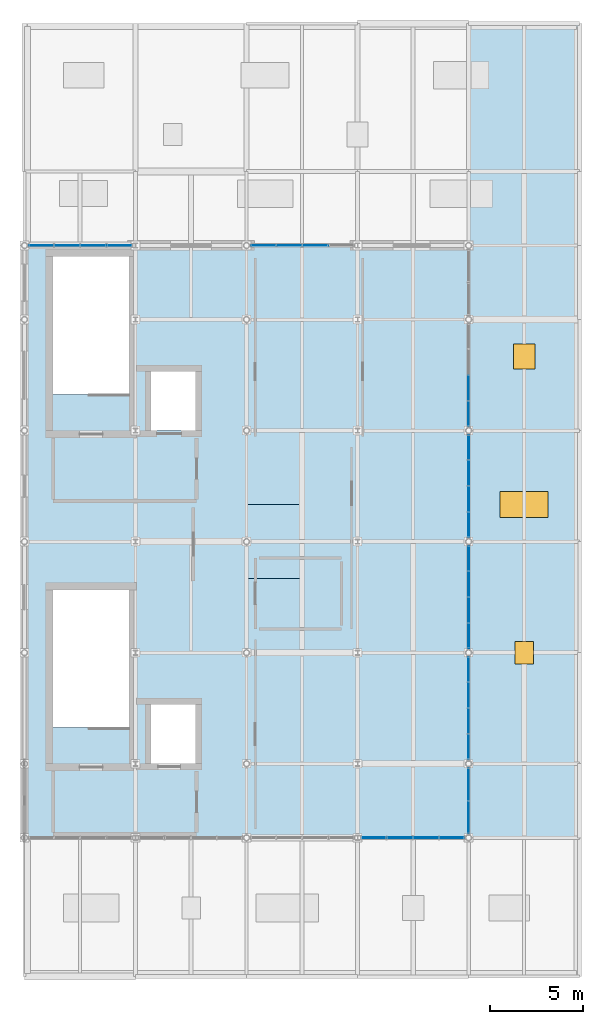
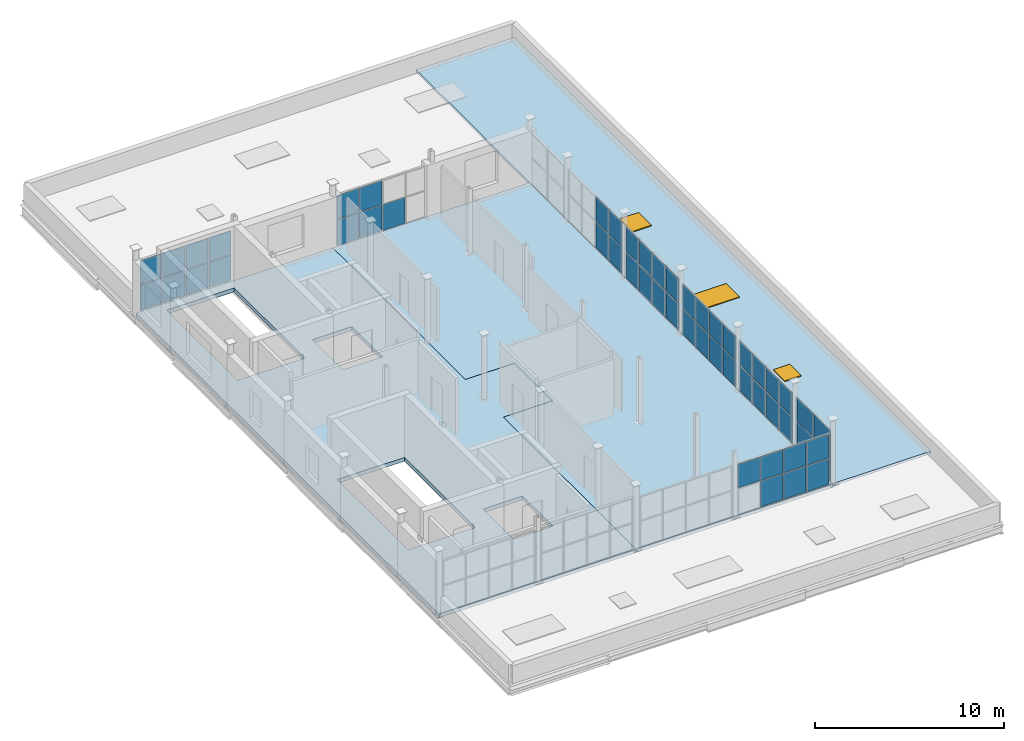
# One storey, part 22 of 27: 52 plates, 3 slabs, 2 doors, 1 window, 3 openings, 8 elements without a shape of their own.
"""IFC4 building model written with IfcOpenShell, lengths in metres."""

from ifc_helpers import new_model, si_unit, direction, frame, origin, origin_2d, place, context, subcontext, project, spatial, polyline, rectangle, outline, extrude, material, layer, layer_set, type_object, element, fill, aggregate, save


model = new_model("IFC4")

# Units and contexts
model_context = context("Model", 3, precision=1e-05, world=origin(), true_north=direction((0.0, 1.0)))
body_context = subcontext(model_context, "Body", "Model", "MODEL_VIEW")
ifc_project = project(units=[si_unit("LENGTHUNIT", "METRE"), si_unit("AREAUNIT", "SQUARE_METRE"), si_unit("VOLUMEUNIT", "CUBIC_METRE"), si_unit("PLANEANGLEUNIT", "RADIAN"), si_unit("MASSUNIT", "GRAM", prefix="KILO")], contexts=[model_context])

# Site, building, storey
site_placement = place(None, origin())
site = spatial("IfcSite", under=ifc_project, at=site_placement, CompositionType="ELEMENT")
building_placement = place(site_placement, origin())
building = spatial("IfcBuilding", under=site, at=building_placement, Name="Verrall Gate Interchange", CompositionType="ELEMENT")
storey_placement = place(building_placement, frame((0.0, 0.0, 28.60009765625)))
storey = spatial("IfcBuildingStorey", under=building, at=storey_placement, Name="L07", CompositionType="ELEMENT", Elevation=28.60009765625)

# Curtain wall, plates
ifc_material_1 = material(Name="Thermally Broken Anodized Aluminium Curtain Wall Framing", Category="aluminium")
curtain_wall_type_1 = type_object("IfcCurtainWallType", Name="CW-51 Unitized Curtain Wall 3612x3340", PredefinedType="NOTDEFINED", material=ifc_material_1)
curtain_wall_1_placement = place(storey_placement, origin())
curtain_wall_1 = element("IfcCurtainWall", 1, at=curtain_wall_1_placement, inside=storey, type_object=curtain_wall_type_1, Name="L07 Unitized Curtain Wall CW-L07-156", PredefinedType="NOTDEFINED")
ifc_material_2 = material(Name="Triple-Glazed Low-E Argon Insulated Curtain Panel (U=1.45)", Category="glass")
ifc_layer_1 = layer(ifc_material_2, 0.030029296875)
ifc_layer_set_1 = layer_set([ifc_layer_1], Name="Triple-Glazed Low-E Argon Insulated Curtain Panel (U=1.45)")
plate_type_1 = type_object("IfcPlateType", Name="CP-01 Curtain Glazing Panel 30", PredefinedType="CURTAIN_PANEL", material=ifc_layer_set_1)
plate_1_placement = place(storey_placement, frame((30.0, 13.11328125, 0.054443359375), z_axis=(0.0, 0.0, 1.0), x_axis=(0.0, 1.0, 0.0)))
plate_1 = element("IfcPlate", 2, at=plate_1_placement, type_object=plate_type_1, Name="CW-L07-156 Glazing Panel 1.1", PredefinedType="CURTAIN_PANEL", context=body_context, shape_type="SweptSolid", body=[
    extrude(rectangle(XDim=1.7294921875, YDim=0.030029296875, at=origin_2d()), origin(), (0.0, 0.0, 1.0), 1.66015625),
])
plate_2_placement = place(storey_placement, frame((30.0, 13.11328125, 1.7587890625), z_axis=(0.0, 0.0, 1.0), x_axis=(0.0, 1.0, 0.0)))
plate_2 = element("IfcPlate", 3, at=plate_2_placement, type_object=plate_type_1, Name="CW-L07-156 Glazing Panel 1.2", PredefinedType="CURTAIN_PANEL", context=body_context, shape_type="SweptSolid", body=[
    extrude(rectangle(XDim=1.7294921875, YDim=0.030029296875, at=origin_2d()), origin(), (0.0, 0.0, 1.0), 1.526611328125),
])
plate_3_placement = place(storey_placement, frame((30.0, 14.88671875, 0.054443359375), z_axis=(0.0, 0.0, 1.0), x_axis=(0.0, 1.0, 0.0)))
plate_3 = element("IfcPlate", 4, at=plate_3_placement, type_object=plate_type_1, Name="CW-L07-156 Glazing Panel 2.1", PredefinedType="CURTAIN_PANEL", context=body_context, shape_type="SweptSolid", body=[
    extrude(rectangle(XDim=1.7294921875, YDim=0.030029296875, at=origin_2d()), origin(), (0.0, 0.0, 1.0), 1.66015625),
])
plate_4_placement = place(storey_placement, frame((30.0, 14.88671875, 1.7587890625), z_axis=(0.0, 0.0, 1.0), x_axis=(0.0, 1.0, 0.0)))
plate_4 = element("IfcPlate", 5, at=plate_4_placement, type_object=plate_type_1, Name="CW-L07-156 Glazing Panel 2.2", PredefinedType="CURTAIN_PANEL", context=body_context, shape_type="SweptSolid", body=[
    extrude(rectangle(XDim=1.7294921875, YDim=0.030029296875, at=origin_2d()), origin(), (0.0, 0.0, 1.0), 1.526611328125),
])
aggregate(curtain_wall_1, [plate_1, plate_2, plate_3, plate_4])

ifc_material_3 = material(Name="Thermally Broken Anodized Aluminium Curtain Wall Framing", Category="aluminium")
curtain_wall_type_2 = type_object("IfcCurtainWallType", Name="CW-43 Unitized Curtain Wall 5612x3310", PredefinedType="NOTDEFINED", material=ifc_material_3)
curtain_wall_2_placement = place(storey_placement, origin())
curtain_wall_2 = element("IfcCurtainWall", 6, at=curtain_wall_2_placement, inside=storey, type_object=curtain_wall_type_2, Name="L07 Unitized Curtain Wall CW-L07-157", PredefinedType="NOTDEFINED")
plate_5_placement = place(storey_placement, frame((30.0, 16.914306640625, 0.06298828125), z_axis=(0.0, 0.0, 1.0), x_axis=(0.0, 1.0, 0.0)))
plate_5 = element("IfcPlate", 7, at=plate_5_placement, type_object=plate_type_1, Name="CW-L07-157 Glazing Panel 1.1", PredefinedType="CURTAIN_PANEL", context=body_context, shape_type="SweptSolid", body=[
    extrude(rectangle(XDim=1.314453125, YDim=0.030029296875, at=origin_2d()), origin(), (0.0, 0.0, 1.0), 1.648193359375),
])
plate_6_placement = place(storey_placement, frame((30.0, 16.914306640625, 1.76220703125), z_axis=(0.0, 0.0, 1.0), x_axis=(0.0, 1.0, 0.0)))
plate_6 = element("IfcPlate", 8, at=plate_6_placement, type_object=plate_type_1, Name="CW-L07-157 Glazing Panel 1.2", PredefinedType="CURTAIN_PANEL", context=body_context, shape_type="SweptSolid", body=[
    extrude(rectangle(XDim=1.314453125, YDim=0.030029296875, at=origin_2d()), origin(), (0.0, 0.0, 1.0), 1.5146484375),
])
plate_7_placement = place(storey_placement, frame((30.0, 18.298583984375, 0.06298828125), z_axis=(0.0, 0.0, 1.0), x_axis=(0.0, 1.0, 0.0)))
plate_7 = element("IfcPlate", 9, at=plate_7_placement, type_object=plate_type_1, Name="CW-L07-157 Glazing Panel 2.1", PredefinedType="CURTAIN_PANEL", context=body_context, shape_type="SweptSolid", body=[
    extrude(rectangle(XDim=1.35205078125, YDim=0.030029296875, at=origin_2d()), origin(), (0.0, 0.0, 1.0), 1.648193359375),
])
plate_8_placement = place(storey_placement, frame((30.0, 18.298583984375, 1.76220703125), z_axis=(0.0, 0.0, 1.0), x_axis=(0.0, 1.0, 0.0)))
plate_8 = element("IfcPlate", 10, at=plate_8_placement, type_object=plate_type_1, Name="CW-L07-157 Glazing Panel 2.2", PredefinedType="CURTAIN_PANEL", context=body_context, shape_type="SweptSolid", body=[
    extrude(rectangle(XDim=1.35205078125, YDim=0.030029296875, at=origin_2d()), origin(), (0.0, 0.0, 1.0), 1.5146484375),
])
plate_9_placement = place(storey_placement, frame((30.0, 19.701416015625, 0.06298828125), z_axis=(0.0, 0.0, 1.0), x_axis=(0.0, 1.0, 0.0)))
plate_9 = element("IfcPlate", 11, at=plate_9_placement, type_object=plate_type_1, Name="CW-L07-157 Glazing Panel 3.1", PredefinedType="CURTAIN_PANEL", context=body_context, shape_type="SweptSolid", body=[
    extrude(rectangle(XDim=1.35205078125, YDim=0.030029296875, at=origin_2d()), origin(), (0.0, 0.0, 1.0), 1.648193359375),
])
plate_10_placement = place(storey_placement, frame((30.0, 19.701416015625, 1.76220703125), z_axis=(0.0, 0.0, 1.0), x_axis=(0.0, 1.0, 0.0)))
plate_10 = element("IfcPlate", 12, at=plate_10_placement, type_object=plate_type_1, Name="CW-L07-157 Glazing Panel 3.2", PredefinedType="CURTAIN_PANEL", context=body_context, shape_type="SweptSolid", body=[
    extrude(rectangle(XDim=1.35205078125, YDim=0.030029296875, at=origin_2d()), origin(), (0.0, 0.0, 1.0), 1.5146484375),
])
plate_11_placement = place(storey_placement, frame((30.0, 21.0859375, 0.06298828125), z_axis=(0.0, 0.0, 1.0), x_axis=(0.0, 1.0, 0.0)))
plate_11 = element("IfcPlate", 13, at=plate_11_placement, type_object=plate_type_1, Name="CW-L07-157 Glazing Panel 4.1", PredefinedType="CURTAIN_PANEL", context=body_context, shape_type="SweptSolid", body=[
    extrude(rectangle(XDim=1.314453125, YDim=0.030029296875, at=origin_2d()), origin(), (0.0, 0.0, 1.0), 1.648193359375),
])
plate_12_placement = place(storey_placement, frame((30.0, 21.0859375, 1.76220703125), z_axis=(0.0, 0.0, 1.0), x_axis=(0.0, 1.0, 0.0)))
plate_12 = element("IfcPlate", 14, at=plate_12_placement, type_object=plate_type_1, Name="CW-L07-157 Glazing Panel 4.2", PredefinedType="CURTAIN_PANEL", context=body_context, shape_type="SweptSolid", body=[
    extrude(rectangle(XDim=1.314453125, YDim=0.030029296875, at=origin_2d()), origin(), (0.0, 0.0, 1.0), 1.5146484375),
])
aggregate(curtain_wall_2, [plate_5, plate_6, plate_7, plate_8, plate_9, plate_10, plate_11, plate_12])

ifc_material_4 = material(Name="Thermally Broken Anodized Aluminium Curtain Wall Framing", Category="aluminium")
curtain_wall_type_3 = type_object("IfcCurtainWallType", Name="CW-50 Unitized Curtain Wall 5647x3420", PredefinedType="NOTDEFINED", material=ifc_material_4)
curtain_wall_3_placement = place(storey_placement, origin())
curtain_wall_3 = element("IfcCurtainWall", 15, at=curtain_wall_3_placement, inside=storey, type_object=curtain_wall_type_3, Name="L07 Unitized Curtain Wall CW-L07-160", PredefinedType="NOTDEFINED")
plate_13_placement = place(storey_placement, frame((30.0, 34.91162109375, 0.054443359375), z_axis=(0.0, 0.0, 1.0), x_axis=(0.0, 1.0, 0.0)))
plate_13 = element("IfcPlate", 16, at=plate_13_placement, type_object=plate_type_1, Name="CW-L07-160 Glazing Panel 1.1", PredefinedType="CURTAIN_PANEL", context=body_context, shape_type="SweptSolid", body=[
    extrude(rectangle(XDim=1.326416015625, YDim=0.030029296875, at=origin_2d()), origin(), (0.0, 0.0, 1.0), 1.70166015625),
])
plate_14_placement = place(storey_placement, frame((30.0, 34.91162109375, 1.80029296875), z_axis=(0.0, 0.0, 1.0), x_axis=(0.0, 1.0, 0.0)))
plate_14 = element("IfcPlate", 17, at=plate_14_placement, type_object=plate_type_1, Name="CW-L07-160 Glazing Panel 1.2", PredefinedType="CURTAIN_PANEL", context=body_context, shape_type="SweptSolid", body=[
    extrude(rectangle(XDim=1.326416015625, YDim=0.030029296875, at=origin_2d()), origin(), (0.0, 0.0, 1.0), 1.56494140625),
])
plate_15_placement = place(storey_placement, frame((30.0, 36.298583984375, 0.054443359375), z_axis=(0.0, 0.0, 1.0), x_axis=(0.0, 1.0, 0.0)))
plate_15 = element("IfcPlate", 18, at=plate_15_placement, type_object=plate_type_1, Name="CW-L07-160 Glazing Panel 2.1", PredefinedType="CURTAIN_PANEL", context=body_context, shape_type="SweptSolid", body=[
    extrude(rectangle(XDim=1.35888671875, YDim=0.030029296875, at=origin_2d()), origin(), (0.0, 0.0, 1.0), 1.70166015625),
])
plate_16_placement = place(storey_placement, frame((30.0, 36.298583984375, 1.80029296875), z_axis=(0.0, 0.0, 1.0), x_axis=(0.0, 1.0, 0.0)))
plate_16 = element("IfcPlate", 19, at=plate_16_placement, type_object=plate_type_1, Name="CW-L07-160 Glazing Panel 2.2", PredefinedType="CURTAIN_PANEL", context=body_context, shape_type="SweptSolid", body=[
    extrude(rectangle(XDim=1.35888671875, YDim=0.030029296875, at=origin_2d()), origin(), (0.0, 0.0, 1.0), 1.56494140625),
])
aggregate(curtain_wall_3, [plate_13, plate_14, plate_15, plate_16])

curtain_wall_4_placement = place(storey_placement, origin())
curtain_wall_4 = element("IfcCurtainWall", 20, at=curtain_wall_4_placement, inside=storey, type_object=curtain_wall_type_2, Name="L07 Unitized Curtain Wall CW-L07-155", PredefinedType="NOTDEFINED")
ifc_material_5 = material(Name="Triple-Glazed Low-E Argon Insulated Curtain Panel (U=1.45)", Category="glass")
ifc_layer_2 = layer(ifc_material_5, 0.0400390625)
ifc_layer_set_2 = layer_set([ifc_layer_2], Name="Triple-Glazed Low-E Argon Insulated Curtain Panel (U=1.45)")
plate_type_2 = type_object("IfcPlateType", Name="CP-02 Curtain Glazing Panel 40", PredefinedType="CURTAIN_PANEL", material=ifc_layer_set_2)
plate_17_placement = place(storey_placement, frame((24.883544921875, 12.0, 1.76220703125), z_axis=(0.0, 0.0, 1.0), x_axis=(1.0, 0.0, 0.0)))
plate_17 = element("IfcPlate", 21, at=plate_17_placement, type_object=plate_type_2, Name="CW-L07-155 Glazing Panel 1.2", PredefinedType="CURTAIN_PANEL", context=body_context, shape_type="SweptSolid", body=[
    extrude(rectangle(XDim=1.3232421875, YDim=0.0400390625, at=origin_2d()), origin(), (0.0, 0.0, 1.0), 1.5146484375),
])
plate_18_placement = place(storey_placement, frame((26.276611328125, 12.0, 0.06298828125), z_axis=(0.0, 0.0, 1.0), x_axis=(1.0, 0.0, 0.0)))
plate_18 = element("IfcPlate", 22, at=plate_18_placement, type_object=plate_type_2, Name="CW-L07-155 Glazing Panel 2.1", PredefinedType="CURTAIN_PANEL", context=body_context, shape_type="SweptSolid", body=[
    extrude(rectangle(XDim=1.36083984375, YDim=0.0400390625, at=origin_2d()), origin(), (0.0, 0.0, 1.0), 1.648193359375),
])
plate_19_placement = place(storey_placement, frame((26.276611328125, 12.0, 1.76220703125), z_axis=(0.0, 0.0, 1.0), x_axis=(1.0, 0.0, 0.0)))
plate_19 = element("IfcPlate", 23, at=plate_19_placement, type_object=plate_type_2, Name="CW-L07-155 Glazing Panel 2.2", PredefinedType="CURTAIN_PANEL", context=body_context, shape_type="SweptSolid", body=[
    extrude(rectangle(XDim=1.36083984375, YDim=0.0400390625, at=origin_2d()), origin(), (0.0, 0.0, 1.0), 1.5146484375),
])
plate_20_placement = place(storey_placement, frame((27.6884765625, 12.0, 0.06298828125), z_axis=(0.0, 0.0, 1.0), x_axis=(1.0, 0.0, 0.0)))
plate_20 = element("IfcPlate", 24, at=plate_20_placement, type_object=plate_type_2, Name="CW-L07-155 Glazing Panel 3.1", PredefinedType="CURTAIN_PANEL", context=body_context, shape_type="SweptSolid", body=[
    extrude(rectangle(XDim=1.360595703125, YDim=0.0400390625, at=origin_2d()), origin(), (0.0, 0.0, 1.0), 1.648193359375),
])
plate_21_placement = place(storey_placement, frame((27.6884765625, 12.0, 1.76220703125), z_axis=(0.0, 0.0, 1.0), x_axis=(1.0, 0.0, 0.0)))
plate_21 = element("IfcPlate", 25, at=plate_21_placement, type_object=plate_type_2, Name="CW-L07-155 Glazing Panel 3.2", PredefinedType="CURTAIN_PANEL", context=body_context, shape_type="SweptSolid", body=[
    extrude(rectangle(XDim=1.360595703125, YDim=0.0400390625, at=origin_2d()), origin(), (0.0, 0.0, 1.0), 1.5146484375),
])
plate_22_placement = place(storey_placement, frame((29.081298828125, 12.0, 0.06298828125), z_axis=(0.0, 0.0, 1.0), x_axis=(1.0, 0.0, 0.0)))
plate_22 = element("IfcPlate", 26, at=plate_22_placement, type_object=plate_type_2, Name="CW-L07-155 Glazing Panel 4.1", PredefinedType="CURTAIN_PANEL", context=body_context, shape_type="SweptSolid", body=[
    extrude(rectangle(XDim=1.3232421875, YDim=0.0400390625, at=origin_2d()), origin(), (0.0, 0.0, 1.0), 1.648193359375),
])
plate_23_placement = place(storey_placement, frame((29.081298828125, 12.0, 1.76220703125), z_axis=(0.0, 0.0, 1.0), x_axis=(1.0, 0.0, 0.0)))
plate_23 = element("IfcPlate", 27, at=plate_23_placement, type_object=plate_type_2, Name="CW-L07-155 Glazing Panel 4.2", PredefinedType="CURTAIN_PANEL", context=body_context, shape_type="SweptSolid", body=[
    extrude(rectangle(XDim=1.3232421875, YDim=0.0400390625, at=origin_2d()), origin(), (0.0, 0.0, 1.0), 1.5146484375),
])
aggregate(curtain_wall_4, [plate_17, plate_18, plate_19, plate_20, plate_21, plate_22, plate_23])

curtain_wall_5_placement = place(storey_placement, origin())
curtain_wall_5 = element("IfcCurtainWall", 28, at=curtain_wall_5_placement, inside=storey, type_object=curtain_wall_type_2, Name="L07 Unitized Curtain Wall CW-L07-158", PredefinedType="NOTDEFINED")
plate_24_placement = place(storey_placement, frame((30.0, 22.91162109375, 0.054443359375), z_axis=(0.0, 0.0, 1.0), x_axis=(0.0, 1.0, 0.0)))
plate_24 = element("IfcPlate", 29, at=plate_24_placement, type_object=plate_type_2, Name="CW-L07-158 Glazing Panel 1.1", PredefinedType="CURTAIN_PANEL", context=body_context, shape_type="SweptSolid", body=[
    extrude(rectangle(XDim=1.326416015625, YDim=0.0400390625, at=origin_2d()), origin(), (0.0, 0.0, 1.0), 1.66015625),
])
plate_25_placement = place(storey_placement, frame((30.0, 22.91162109375, 1.7587890625), z_axis=(0.0, 0.0, 1.0), x_axis=(0.0, 1.0, 0.0)))
plate_25 = element("IfcPlate", 30, at=plate_25_placement, type_object=plate_type_2, Name="CW-L07-158 Glazing Panel 1.2", PredefinedType="CURTAIN_PANEL", context=body_context, shape_type="SweptSolid", body=[
    extrude(rectangle(XDim=1.326416015625, YDim=0.0400390625, at=origin_2d()), origin(), (0.0, 0.0, 1.0), 1.526611328125),
])
plate_26_placement = place(storey_placement, frame((30.0, 24.298583984375, 0.054443359375), z_axis=(0.0, 0.0, 1.0), x_axis=(0.0, 1.0, 0.0)))
plate_26 = element("IfcPlate", 31, at=plate_26_placement, type_object=plate_type_2, Name="CW-L07-158 Glazing Panel 2.1", PredefinedType="CURTAIN_PANEL", context=body_context, shape_type="SweptSolid", body=[
    extrude(rectangle(XDim=1.35888671875, YDim=0.0400390625, at=origin_2d()), origin(), (0.0, 0.0, 1.0), 1.66015625),
])
plate_27_placement = place(storey_placement, frame((30.0, 24.298583984375, 1.7587890625), z_axis=(0.0, 0.0, 1.0), x_axis=(0.0, 1.0, 0.0)))
plate_27 = element("IfcPlate", 32, at=plate_27_placement, type_object=plate_type_2, Name="CW-L07-158 Glazing Panel 2.2", PredefinedType="CURTAIN_PANEL", context=body_context, shape_type="SweptSolid", body=[
    extrude(rectangle(XDim=1.35888671875, YDim=0.0400390625, at=origin_2d()), origin(), (0.0, 0.0, 1.0), 1.526611328125),
])
plate_28_placement = place(storey_placement, frame((30.0, 25.701416015625, 0.054443359375), z_axis=(0.0, 0.0, 1.0), x_axis=(0.0, 1.0, 0.0)))
plate_28 = element("IfcPlate", 33, at=plate_28_placement, type_object=plate_type_2, Name="CW-L07-158 Glazing Panel 3.1", PredefinedType="CURTAIN_PANEL", context=body_context, shape_type="SweptSolid", body=[
    extrude(rectangle(XDim=1.35888671875, YDim=0.0400390625, at=origin_2d()), origin(), (0.0, 0.0, 1.0), 1.66015625),
])
plate_29_placement = place(storey_placement, frame((30.0, 25.701416015625, 1.7587890625), z_axis=(0.0, 0.0, 1.0), x_axis=(0.0, 1.0, 0.0)))
plate_29 = element("IfcPlate", 34, at=plate_29_placement, type_object=plate_type_2, Name="CW-L07-158 Glazing Panel 3.2", PredefinedType="CURTAIN_PANEL", context=body_context, shape_type="SweptSolid", body=[
    extrude(rectangle(XDim=1.35888671875, YDim=0.0400390625, at=origin_2d()), origin(), (0.0, 0.0, 1.0), 1.526611328125),
])
plate_30_placement = place(storey_placement, frame((30.0, 27.08837890625, 0.054443359375), z_axis=(0.0, 0.0, 1.0), x_axis=(0.0, 1.0, 0.0)))
plate_30 = element("IfcPlate", 35, at=plate_30_placement, type_object=plate_type_2, Name="CW-L07-158 Glazing Panel 4.1", PredefinedType="CURTAIN_PANEL", context=body_context, shape_type="SweptSolid", body=[
    extrude(rectangle(XDim=1.326416015625, YDim=0.0400390625, at=origin_2d()), origin(), (0.0, 0.0, 1.0), 1.66015625),
])
plate_31_placement = place(storey_placement, frame((30.0, 27.08837890625, 1.7587890625), z_axis=(0.0, 0.0, 1.0), x_axis=(0.0, 1.0, 0.0)))
plate_31 = element("IfcPlate", 36, at=plate_31_placement, type_object=plate_type_2, Name="CW-L07-158 Glazing Panel 4.2", PredefinedType="CURTAIN_PANEL", context=body_context, shape_type="SweptSolid", body=[
    extrude(rectangle(XDim=1.326416015625, YDim=0.0400390625, at=origin_2d()), origin(), (0.0, 0.0, 1.0), 1.526611328125),
])
aggregate(curtain_wall_5, [plate_24, plate_25, plate_26, plate_27, plate_28, plate_29, plate_30, plate_31])

curtain_wall_6_placement = place(storey_placement, origin())
curtain_wall_6 = element("IfcCurtainWall", 37, at=curtain_wall_6_placement, inside=storey, type_object=curtain_wall_type_3, Name="L07 Unitized Curtain Wall CW-L07-159", PredefinedType="NOTDEFINED")
plate_32_placement = place(storey_placement, frame((30.0, 28.914306640625, 0.06298828125), z_axis=(0.0, 0.0, 1.0), x_axis=(0.0, 1.0, 0.0)))
plate_32 = element("IfcPlate", 38, at=plate_32_placement, type_object=plate_type_2, Name="CW-L07-159 Glazing Panel 1.1", PredefinedType="CURTAIN_PANEL", context=body_context, shape_type="SweptSolid", body=[
    extrude(rectangle(XDim=1.314453125, YDim=0.0400390625, at=origin_2d()), origin(), (0.0, 0.0, 1.0), 1.68994140625),
])
plate_33_placement = place(storey_placement, frame((30.0, 28.914306640625, 1.8037109375), z_axis=(0.0, 0.0, 1.0), x_axis=(0.0, 1.0, 0.0)))
plate_33 = element("IfcPlate", 39, at=plate_33_placement, type_object=plate_type_2, Name="CW-L07-159 Glazing Panel 1.2", PredefinedType="CURTAIN_PANEL", context=body_context, shape_type="SweptSolid", body=[
    extrude(rectangle(XDim=1.314453125, YDim=0.0400390625, at=origin_2d()), origin(), (0.0, 0.0, 1.0), 1.552978515625),
])
plate_34_placement = place(storey_placement, frame((30.0, 30.298583984375, 0.06298828125), z_axis=(0.0, 0.0, 1.0), x_axis=(0.0, 1.0, 0.0)))
plate_34 = element("IfcPlate", 40, at=plate_34_placement, type_object=plate_type_2, Name="CW-L07-159 Glazing Panel 2.1", PredefinedType="CURTAIN_PANEL", context=body_context, shape_type="SweptSolid", body=[
    extrude(rectangle(XDim=1.35205078125, YDim=0.0400390625, at=origin_2d()), origin(), (0.0, 0.0, 1.0), 1.68994140625),
])
plate_35_placement = place(storey_placement, frame((30.0, 30.298583984375, 1.8037109375), z_axis=(0.0, 0.0, 1.0), x_axis=(0.0, 1.0, 0.0)))
plate_35 = element("IfcPlate", 41, at=plate_35_placement, type_object=plate_type_2, Name="CW-L07-159 Glazing Panel 2.2", PredefinedType="CURTAIN_PANEL", context=body_context, shape_type="SweptSolid", body=[
    extrude(rectangle(XDim=1.35205078125, YDim=0.0400390625, at=origin_2d()), origin(), (0.0, 0.0, 1.0), 1.552978515625),
])
plate_36_placement = place(storey_placement, frame((30.0, 31.701416015625, 0.06298828125), z_axis=(0.0, 0.0, 1.0), x_axis=(0.0, 1.0, 0.0)))
plate_36 = element("IfcPlate", 42, at=plate_36_placement, type_object=plate_type_2, Name="CW-L07-159 Glazing Panel 3.1", PredefinedType="CURTAIN_PANEL", context=body_context, shape_type="SweptSolid", body=[
    extrude(rectangle(XDim=1.35205078125, YDim=0.0400390625, at=origin_2d()), origin(), (0.0, 0.0, 1.0), 1.68994140625),
])
plate_37_placement = place(storey_placement, frame((30.0, 31.701416015625, 1.8037109375), z_axis=(0.0, 0.0, 1.0), x_axis=(0.0, 1.0, 0.0)))
plate_37 = element("IfcPlate", 43, at=plate_37_placement, type_object=plate_type_2, Name="CW-L07-159 Glazing Panel 3.2", PredefinedType="CURTAIN_PANEL", context=body_context, shape_type="SweptSolid", body=[
    extrude(rectangle(XDim=1.35205078125, YDim=0.0400390625, at=origin_2d()), origin(), (0.0, 0.0, 1.0), 1.552978515625),
])
plate_38_placement = place(storey_placement, frame((30.0, 33.0859375, 0.06298828125), z_axis=(0.0, 0.0, 1.0), x_axis=(0.0, 1.0, 0.0)))
plate_38 = element("IfcPlate", 44, at=plate_38_placement, type_object=plate_type_2, Name="CW-L07-159 Glazing Panel 4.1", PredefinedType="CURTAIN_PANEL", context=body_context, shape_type="SweptSolid", body=[
    extrude(rectangle(XDim=1.314453125, YDim=0.0400390625, at=origin_2d()), origin(), (0.0, 0.0, 1.0), 1.68994140625),
])
plate_39_placement = place(storey_placement, frame((30.0, 33.0859375, 1.8037109375), z_axis=(0.0, 0.0, 1.0), x_axis=(0.0, 1.0, 0.0)))
plate_39 = element("IfcPlate", 45, at=plate_39_placement, type_object=plate_type_2, Name="CW-L07-159 Glazing Panel 4.2", PredefinedType="CURTAIN_PANEL", context=body_context, shape_type="SweptSolid", body=[
    extrude(rectangle(XDim=1.314453125, YDim=0.0400390625, at=origin_2d()), origin(), (0.0, 0.0, 1.0), 1.552978515625),
])
aggregate(curtain_wall_6, [plate_32, plate_33, plate_34, plate_35, plate_36, plate_37, plate_38, plate_39])

curtain_wall_7_placement = place(storey_placement, origin())
curtain_wall_7 = element("IfcCurtainWall", 46, at=curtain_wall_7_placement, inside=storey, type_object=curtain_wall_type_2, Name="L07 Unitized Curtain Wall CW-L07-162", PredefinedType="NOTDEFINED")
plate_40_placement = place(storey_placement, frame((21.723388671875, 44.0, 0.054443359375), z_axis=(0.0, 0.0, 1.0), x_axis=(-1.0, 0.0, 0.0)))
plate_40 = element("IfcPlate", 47, at=plate_40_placement, type_object=plate_type_2, Name="CW-L07-162 Glazing Panel 2.1", PredefinedType="CURTAIN_PANEL", context=body_context, shape_type="SweptSolid", body=[
    extrude(rectangle(XDim=1.36767578125, YDim=0.0400390625, at=origin_2d()), origin(), (0.0, 0.0, 1.0), 1.66015625),
])
plate_41_placement = place(storey_placement, frame((20.3115234375, 44.0, 0.054443359375), z_axis=(0.0, 0.0, 1.0), x_axis=(-1.0, 0.0, 0.0)))
plate_41 = element("IfcPlate", 48, at=plate_41_placement, type_object=plate_type_2, Name="CW-L07-162 Glazing Panel 3.1", PredefinedType="CURTAIN_PANEL", context=body_context, shape_type="SweptSolid", body=[
    extrude(rectangle(XDim=1.367431640625, YDim=0.0400390625, at=origin_2d()), origin(), (0.0, 0.0, 1.0), 1.66015625),
])
plate_42_placement = place(storey_placement, frame((20.3115234375, 44.0, 1.7587890625), z_axis=(0.0, 0.0, 1.0), x_axis=(-1.0, 0.0, 0.0)))
plate_42 = element("IfcPlate", 49, at=plate_42_placement, type_object=plate_type_2, Name="CW-L07-162 Glazing Panel 3.2", PredefinedType="CURTAIN_PANEL", context=body_context, shape_type="SweptSolid", body=[
    extrude(rectangle(XDim=1.367431640625, YDim=0.0400390625, at=origin_2d()), origin(), (0.0, 0.0, 1.0), 1.526611328125),
])
plate_43_placement = place(storey_placement, frame((18.916015625, 44.0, 0.054443359375), z_axis=(0.0, 0.0, 1.0), x_axis=(-1.0, 0.0, 0.0)))
plate_43 = element("IfcPlate", 50, at=plate_43_placement, type_object=plate_type_2, Name="CW-L07-162 Glazing Panel 4.1", PredefinedType="CURTAIN_PANEL", context=body_context, shape_type="SweptSolid", body=[
    extrude(rectangle(XDim=1.335205078125, YDim=0.0400390625, at=origin_2d()), origin(), (0.0, 0.0, 1.0), 1.66015625),
])
plate_44_placement = place(storey_placement, frame((18.916015625, 44.0, 1.7587890625), z_axis=(0.0, 0.0, 1.0), x_axis=(-1.0, 0.0, 0.0)))
plate_44 = element("IfcPlate", 51, at=plate_44_placement, type_object=plate_type_2, Name="CW-L07-162 Glazing Panel 4.2", PredefinedType="CURTAIN_PANEL", context=body_context, shape_type="SweptSolid", body=[
    extrude(rectangle(XDim=1.335205078125, YDim=0.0400390625, at=origin_2d()), origin(), (0.0, 0.0, 1.0), 1.526611328125),
])
aggregate(curtain_wall_7, [plate_40, plate_41, plate_42, plate_43, plate_44])

curtain_wall_8_placement = place(storey_placement, origin())
curtain_wall_8 = element("IfcCurtainWall", 52, at=curtain_wall_8_placement, inside=storey, type_object=curtain_wall_type_2, Name="L07 Unitized Curtain Wall CW-L07-163", PredefinedType="NOTDEFINED")
plate_45_placement = place(storey_placement, frame((11.1162109375, 44.0, 0.06298828125), z_axis=(0.0, 0.0, 1.0), x_axis=(-1.0, 0.0, 0.0)))
plate_45 = element("IfcPlate", 53, at=plate_45_placement, type_object=plate_type_2, Name="CW-L07-163 Glazing Panel 1.1", PredefinedType="CURTAIN_PANEL", context=body_context, shape_type="SweptSolid", body=[
    extrude(rectangle(XDim=1.3232421875, YDim=0.0400390625, at=origin_2d()), origin(), (0.0, 0.0, 1.0), 1.648193359375),
])
plate_46_placement = place(storey_placement, frame((11.1162109375, 44.0, 1.76220703125), z_axis=(0.0, 0.0, 1.0), x_axis=(-1.0, 0.0, 0.0)))
plate_46 = element("IfcPlate", 54, at=plate_46_placement, type_object=plate_type_2, Name="CW-L07-163 Glazing Panel 1.2", PredefinedType="CURTAIN_PANEL", context=body_context, shape_type="SweptSolid", body=[
    extrude(rectangle(XDim=1.3232421875, YDim=0.0400390625, at=origin_2d()), origin(), (0.0, 0.0, 1.0), 1.5146484375),
])
plate_47_placement = place(storey_placement, frame((9.723388671875, 44.0, 0.06298828125), z_axis=(0.0, 0.0, 1.0), x_axis=(-1.0, 0.0, 0.0)))
plate_47 = element("IfcPlate", 55, at=plate_47_placement, type_object=plate_type_2, Name="CW-L07-163 Glazing Panel 2.1", PredefinedType="CURTAIN_PANEL", context=body_context, shape_type="SweptSolid", body=[
    extrude(rectangle(XDim=1.36083984375, YDim=0.0400390625, at=origin_2d()), origin(), (0.0, 0.0, 1.0), 1.648193359375),
])
plate_48_placement = place(storey_placement, frame((9.723388671875, 44.0, 1.76220703125), z_axis=(0.0, 0.0, 1.0), x_axis=(-1.0, 0.0, 0.0)))
plate_48 = element("IfcPlate", 56, at=plate_48_placement, type_object=plate_type_2, Name="CW-L07-163 Glazing Panel 2.2", PredefinedType="CURTAIN_PANEL", context=body_context, shape_type="SweptSolid", body=[
    extrude(rectangle(XDim=1.36083984375, YDim=0.0400390625, at=origin_2d()), origin(), (0.0, 0.0, 1.0), 1.5146484375),
])
plate_49_placement = place(storey_placement, frame((8.3115234375, 44.0, 0.06298828125), z_axis=(0.0, 0.0, 1.0), x_axis=(-1.0, 0.0, 0.0)))
plate_49 = element("IfcPlate", 57, at=plate_49_placement, type_object=plate_type_2, Name="CW-L07-163 Glazing Panel 3.1", PredefinedType="CURTAIN_PANEL", context=body_context, shape_type="SweptSolid", body=[
    extrude(rectangle(XDim=1.360595703125, YDim=0.0400390625, at=origin_2d()), origin(), (0.0, 0.0, 1.0), 1.648193359375),
])
plate_50_placement = place(storey_placement, frame((8.3115234375, 44.0, 1.76220703125), z_axis=(0.0, 0.0, 1.0), x_axis=(-1.0, 0.0, 0.0)))
plate_50 = element("IfcPlate", 58, at=plate_50_placement, type_object=plate_type_2, Name="CW-L07-163 Glazing Panel 3.2", PredefinedType="CURTAIN_PANEL", context=body_context, shape_type="SweptSolid", body=[
    extrude(rectangle(XDim=1.360595703125, YDim=0.0400390625, at=origin_2d()), origin(), (0.0, 0.0, 1.0), 1.5146484375),
])
plate_51_placement = place(storey_placement, frame((6.91845703125, 44.0, 0.06298828125), z_axis=(0.0, 0.0, 1.0), x_axis=(-1.0, 0.0, 0.0)))
plate_51 = element("IfcPlate", 59, at=plate_51_placement, type_object=plate_type_2, Name="CW-L07-163 Glazing Panel 4.1", PredefinedType="CURTAIN_PANEL", context=body_context, shape_type="SweptSolid", body=[
    extrude(rectangle(XDim=1.3232421875, YDim=0.0400390625, at=origin_2d()), origin(), (0.0, 0.0, 1.0), 1.648193359375),
])
plate_52_placement = place(storey_placement, frame((6.91845703125, 44.0, 1.76220703125), z_axis=(0.0, 0.0, 1.0), x_axis=(-1.0, 0.0, 0.0)))
plate_52 = element("IfcPlate", 60, at=plate_52_placement, type_object=plate_type_2, Name="CW-L07-163 Glazing Panel 4.2", PredefinedType="CURTAIN_PANEL", context=body_context, shape_type="SweptSolid", body=[
    extrude(rectangle(XDim=1.3232421875, YDim=0.0400390625, at=origin_2d()), origin(), (0.0, 0.0, 1.0), 1.5146484375),
])
aggregate(curtain_wall_8, [plate_45, plate_46, plate_47, plate_48, plate_49, plate_50, plate_51, plate_52])

# Slabs
ifc_material_6 = material(Name="Concrete CSA A23.1 40 MPa (Class N)", Category="concrete")
ifc_layer_3 = layer(ifc_material_6, 0.25)
ifc_layer_set_3 = layer_set([ifc_layer_3], Name="Concrete CSA A23.1 40 MPa (Class N)")
slab_type_1 = type_object("IfcSlabType", Name="FS-11 Floor Slab 250", PredefinedType="FLOOR", material=ifc_layer_set_3)
slab_1_placement = place(storey_placement, frame((0.0, 0.0, -0.25)))
element("IfcSlab", 61, at=slab_1_placement, inside=storey, type_object=slab_type_1, Name="L07 Structural Slab SLB-L07-01", PredefinedType="FLOOR", context=body_context, shape_type="SweptSolid", body=[
    extrude(outline(polyline([(6.0, 12.0), (6.0, 44.0), (18.0, 44.0), (18.0, 30.0), (21.0, 30.0), (21.0, 26.0), (18.0, 26.0), (18.0, 12.0), (6.0, 12.0)]), holes=[polyline([(12.85009765625, 16.0), (15.25, 16.0), (15.25, 19.199951171875), (12.85009765625, 19.199951171875), (12.85009765625, 16.0)]), polyline([(12.85009765625, 34.0), (15.25, 34.0), (15.25, 37.199951171875), (12.85009765625, 37.199951171875), (12.85009765625, 34.0)]), polyline([(7.550048828125, 17.949951171875), (11.64990234375, 17.949951171875), (11.64990234375, 25.39990234375), (7.550048828125, 25.39990234375), (7.550048828125, 17.949951171875)]), polyline([(7.550048828125, 35.949951171875), (11.64990234375, 35.949951171875), (11.64990234375, 43.39990234375), (7.550048828125, 43.39990234375), (7.550048828125, 35.949951171875)])]), origin(), (0.0, 0.0, 1.0), 0.25),
])
slab_2_placement = place(storey_placement, frame((0.0, 0.0, -0.25)))
element("IfcSlab", 62, at=slab_2_placement, inside=storey, type_object=slab_type_1, Name="L07 Structural Slab SLB-L07-02", PredefinedType="FLOOR", context=body_context, shape_type="SweptSolid", body=[
    extrude(outline(polyline([(30.0, 12.0), (18.0, 12.0), (18.0, 26.0), (21.0, 26.0), (21.0, 30.0), (18.0, 30.0), (18.0, 44.0), (30.0, 44.0), (30.0, 12.0)])), origin(), (0.0, 0.0, 1.0), 0.25),
])

# Slab, openings, doors, window
ifc_material_7 = material(Name="Concrete CSA A23.1 40 MPa (Class C-1)", Category="concrete")
ifc_layer_4 = layer(ifc_material_7, 0.159912109375)
ifc_layer_set_4 = layer_set([ifc_layer_4], Name="Concrete CSA A23.1 40 MPa (Class C-1)")
slab_type_2 = type_object("IfcSlabType", Name="RS-03 Roof Slab 160", PredefinedType="ROOF", material=ifc_layer_set_4)
slab_3_placement = place(storey_placement, frame((0.0, 0.0, -0.16015625)))
slab_3 = element("IfcSlab", 63, at=slab_3_placement, inside=storey, type_object=slab_type_2, Name="L07 Structural Slab SLB-L07-MR2", PredefinedType="ROOF", context=body_context, shape_type="SweptSolid", body=[
    extrude(outline(polyline([(30.0, 44.0), (30.0, 56.0), (36.0, 56.0), (36.0, 12.0), (30.0, 12.0), (30.0, 44.0)])), origin(), (0.0, 0.0, 1.0), 0.16015625),
])
opening_1_placement = place(slab_3_placement, frame((33.0, 22.0, 0.0)))
opening_1 = element("IfcOpeningElement", 64, at=opening_1_placement, cuts=slab_3, Name="Opening RH05", PredefinedType="OPENING", context=body_context, shape_type="SweptSolid", body=[
    extrude(rectangle(XDim=1.0, YDim=1.199951171875, at=origin_2d()), frame((0.0, 0.0, -0.014892578125)), (0.0, 0.0, 1.0), 0.239990234375),
])
opening_2_placement = place(slab_3_placement, frame((33.0, 38.0, 0.0)))
opening_2 = element("IfcOpeningElement", 65, at=opening_2_placement, cuts=slab_3, Name="Opening RH06", PredefinedType="OPENING", context=body_context, shape_type="SweptSolid", body=[
    extrude(rectangle(XDim=1.14990234375, YDim=1.35009765625, at=origin_2d()), frame((0.0, 0.0, -0.014892578125)), (0.0, 0.0, 1.0), 0.239990234375),
])
opening_3_placement = place(slab_3_placement, frame((33.0, 30.0, 0.0)))
opening_3 = element("IfcOpeningElement", 66, at=opening_3_placement, cuts=slab_3, Name="Opening SK-02", PredefinedType="OPENING", context=body_context, shape_type="SweptSolid", body=[
    extrude(rectangle(XDim=2.60009765625, YDim=1.39990234375, at=origin_2d()), frame((0.0, 0.0, -0.014892578125)), (0.0, 0.0, 1.0), 0.239990234375),
])
ifc_material_8 = material(Name="Thermally Broken Bronze-Anodized Aluminium Entrance Assembly", Category="aluminium")
door_type_1 = type_object("IfcDoorType", Name="RH-01 Roof Access Hatch 1000x1200", OperationType="NOTDEFINED", PredefinedType="TRAPDOOR", material=ifc_material_8)
door_1_placement = place(opening_1_placement, frame((0.0, 0.0, 0.16015625)))
door_1 = element("IfcDoor", 67, at=door_1_placement, inside=storey, type_object=door_type_1, Name="L07 Insulated Maintenance Roof Hatch RH05", OperationType="SINGLE_SWING_LEFT", OverallHeight=1.199951171875, OverallWidth=1.0, PredefinedType="TRAPDOOR", context=body_context, shape_type="SweptSolid", body=[
    extrude(rectangle(XDim=1.0, YDim=1.199951171875, at=origin_2d()), origin(), (0.0, 0.0, 1.0), 0.050048828125),
])
fill(opening_1, door_1)
ifc_material_9 = material(Name="Thermally Broken Bronze-Anodized Aluminium Entrance Assembly", Category="aluminium")
door_type_2 = type_object("IfcDoorType", Name="RH-02 Roof Access Hatch 1150x1350", OperationType="NOTDEFINED", PredefinedType="TRAPDOOR", material=ifc_material_9)
door_2_placement = place(opening_2_placement, frame((0.0, 0.0, 0.16015625)))
door_2 = element("IfcDoor", 68, at=door_2_placement, inside=storey, type_object=door_type_2, Name="L07 Insulated Maintenance Roof Hatch RH06", OperationType="SINGLE_SWING_LEFT", OverallHeight=1.35009765625, OverallWidth=1.14990234375, PredefinedType="TRAPDOOR", context=body_context, shape_type="SweptSolid", body=[
    extrude(rectangle(XDim=1.14990234375, YDim=1.35009765625, at=origin_2d()), origin(), (0.0, 0.0, 1.0), 0.050048828125),
])
fill(opening_2, door_2)
ifc_material_10 = material(Name="Triple-Glazed Low-E Argon Bronze-Clad Window Unit (U=1.40)", Category="glass")
window_type = type_object("IfcWindowType", Name="SK-02 Clerestory Roof Skylight 2600x1400", PartitioningType="SINGLE_PANEL", PredefinedType="SKYLIGHT", material=ifc_material_10)
window_placement = place(opening_3_placement, frame((0.0, 0.0, 0.16015625)))
window = element("IfcWindow", 69, at=window_placement, inside=storey, type_object=window_type, Name="L07 Roof Skylight 16 (SK-02)", OverallHeight=1.39990234375, OverallWidth=2.60009765625, PartitioningType="SINGLE_PANEL", PredefinedType="SKYLIGHT", context=body_context, shape_type="SweptSolid", body=[
    extrude(rectangle(XDim=2.60009765625, YDim=1.39990234375, at=origin_2d()), origin(), (0.0, 0.0, 1.0), 0.050048828125),
])
fill(opening_3, window)

save(model, "model.ifc")
